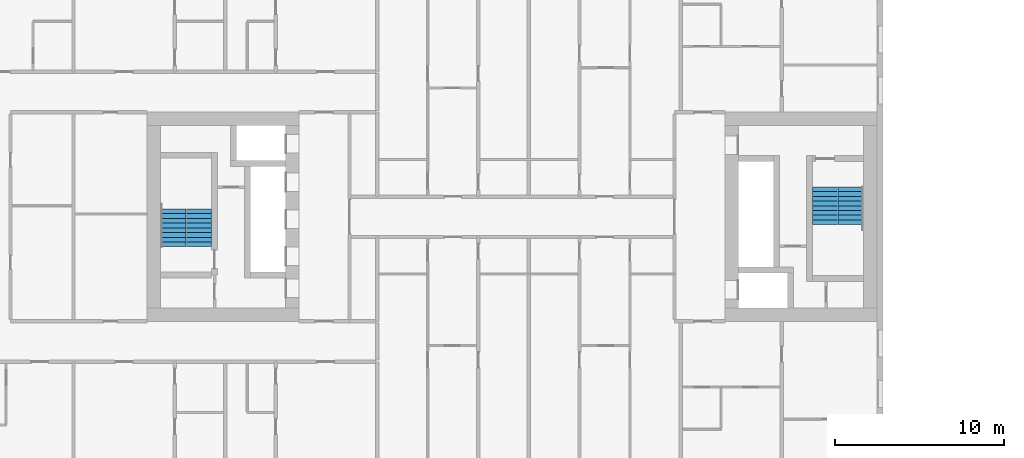
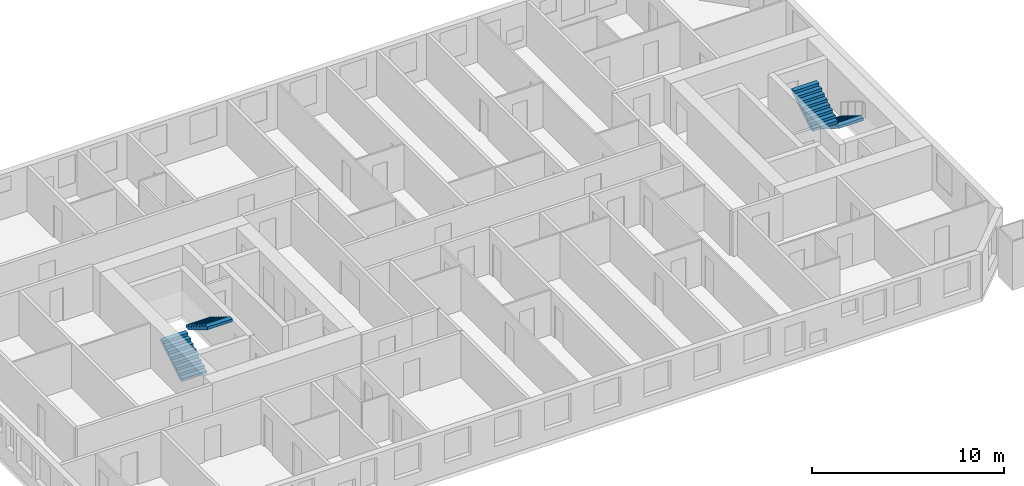
# One storey, part 16 of 17: 4 stair flights, 2 elements without a shape of their own.
"""IFC4 building model written with IfcOpenShell, lengths in metres."""

from ifc_helpers import new_model, si_unit, direction, frame, origin, place, context, subcontext, project, spatial, faceted_brep, material, type_object, element, aggregate, save


model = new_model("IFC4")

# Units and contexts
model_context = context("Model", 3, precision=1e-05, world=origin(), true_north=direction((0.0, 1.0)))
body_context = subcontext(model_context, "Body", "Model", "MODEL_VIEW")
ifc_project = project(units=[si_unit("LENGTHUNIT", "METRE"), si_unit("AREAUNIT", "SQUARE_METRE"), si_unit("VOLUMEUNIT", "CUBIC_METRE"), si_unit("PLANEANGLEUNIT", "RADIAN"), si_unit("MASSUNIT", "GRAM", prefix="KILO")], contexts=[model_context])

# Site, building, storey
site_placement = place(None, origin())
site = spatial("IfcSite", under=ifc_project, at=site_placement, CompositionType="ELEMENT")
building_placement = place(site_placement, origin())
building = spatial("IfcBuilding", under=site, at=building_placement, Name="Tuart Gate Housing", CompositionType="ELEMENT")
storey_placement = place(building_placement, frame((0.0, 0.0, 50.5)))
storey = spatial("IfcBuildingStorey", under=building, at=storey_placement, Name="L13", CompositionType="ELEMENT", Elevation=50.5)

# Stair, stair flights
ifc_material_1 = material(Name="Concrete C40", Category="concrete")
stair_type = type_object("IfcStairType", Name="Core stair 1500", PredefinedType="HALF_TURN_STAIR", material=ifc_material_1)
stair_1_placement = place(storey_placement, origin())
stair_1 = element("IfcStair", 1, at=stair_1_placement, inside=storey, type_object=stair_type, Name="Stair SA1", PredefinedType="HALF_TURN_STAIR")
ifc_material_2 = material(Name="Concrete C40", Category="concrete")
stair_flight_type = type_object("IfcStairFlightType", Name="Stair flight 1500, 9 risers 172 x 280", PredefinedType="STRAIGHT", material=ifc_material_2)
stair_flight_1_placement = place(storey_placement, frame((74.090087890625, 71.77490234375, 0.0), z_axis=(0.0, 0.0, 1.0), x_axis=(0.0, -1.0, 0.0)))
stair_flight_1 = element("IfcStairFlight", 2, at=stair_flight_1_placement, type_object=stair_flight_type, Name="SA1 flight 1", NumberOfRisers=9, NumberOfTreads=8, PredefinedType="STRAIGHT", RiserHeight=0.172222222, TreadLength=0.28, context=body_context, shape_type="Brep", body=[
    faceted_brep([(0.0, 0.75, 0.0), (0.0, 0.75, 0.172119140625), (0.280029296875, 0.75, 0.172119140625), (0.280029296875, 0.75, 0.344482421875), (0.56005859375, 0.75, 0.344482421875), (0.56005859375, 0.75, 0.5166015625), (0.840087890625, 0.75, 0.5166015625), (0.840087890625, 0.75, 0.68896484375), (1.1201171875, 0.75, 0.68896484375), (1.1201171875, 0.75, 0.861083984375), (1.39990234375, 0.75, 0.861083984375), (1.39990234375, 0.75, 1.033447265625), (1.679931640625, 0.75, 1.033447265625), (1.679931640625, 0.75, 1.20556640625), (1.9599609375, 0.75, 1.20556640625), (1.9599609375, 0.75, 1.377685546875), (2.239990234375, 0.75, 1.377685546875), (2.239990234375, 0.75, 1.201904296875), (0.2861328125, 0.75, 0.0), (0.2861328125, -0.75, 0.0), (2.239990234375, -0.75, 1.201904296875), (2.239990234375, -0.75, 1.377685546875), (1.9599609375, -0.75, 1.377685546875), (1.9599609375, -0.75, 1.20556640625), (1.679931640625, -0.75, 1.20556640625), (1.679931640625, -0.75, 1.033447265625), (1.39990234375, -0.75, 1.033447265625), (1.39990234375, -0.75, 0.861083984375), (1.1201171875, -0.75, 0.861083984375), (1.1201171875, -0.75, 0.68896484375), (0.840087890625, -0.75, 0.68896484375), (0.840087890625, -0.75, 0.5166015625), (0.56005859375, -0.75, 0.5166015625), (0.56005859375, -0.75, 0.344482421875), (0.280029296875, -0.75, 0.344482421875), (0.280029296875, -0.75, 0.172119140625), (0.0, -0.75, 0.172119140625), (0.0, -0.75, 0.0), (2.239990234375, 0.0, 1.201904296875), (0.2861328125, 0.0, 0.0), (2.239990234375, 0.0, 1.377685546875), (1.9599609375, 0.0, 1.377685546875), (1.9599609375, 0.0, 1.20556640625), (1.679931640625, 0.0, 1.20556640625), (1.679931640625, 0.0, 1.033447265625), (1.39990234375, 0.0, 1.033447265625), (1.39990234375, 0.0, 0.861083984375), (1.1201171875, 0.0, 0.861083984375), (1.1201171875, 0.0, 0.68896484375), (0.840087890625, 0.0, 0.68896484375), (0.840087890625, 0.0, 0.5166015625), (0.56005859375, 0.0, 0.5166015625), (0.56005859375, 0.0, 0.344482421875), (0.280029296875, 0.0, 0.344482421875), (0.280029296875, 0.0, 0.172119140625), (0.0, 0.0, 0.172119140625), (0.0, 0.0, 0.0)], [[[0, 1, 2, 3, 4, 5, 6, 7, 8, 9, 10, 11, 12, 13, 14, 15, 16, 17, 18]], [[19, 20, 21, 22, 23, 24, 25, 26, 27, 28, 29, 30, 31, 32, 33, 34, 35, 36, 37]], [[18, 17, 38, 39]], [[39, 38, 20, 19]], [[17, 16, 40, 38]], [[38, 40, 21, 20]], [[16, 15, 41, 40]], [[40, 41, 22, 21]], [[15, 14, 42, 41]], [[41, 42, 23, 22]], [[14, 13, 43, 42]], [[42, 43, 24, 23]], [[13, 12, 44, 43]], [[43, 44, 25, 24]], [[12, 11, 45, 44]], [[44, 45, 26, 25]], [[11, 10, 46, 45]], [[45, 46, 27, 26]], [[10, 9, 47, 46]], [[46, 47, 28, 27]], [[9, 8, 48, 47]], [[47, 48, 29, 28]], [[8, 7, 49, 48]], [[48, 49, 30, 29]], [[7, 6, 50, 49]], [[49, 50, 31, 30]], [[6, 5, 51, 50]], [[50, 51, 32, 31]], [[5, 4, 52, 51]], [[51, 52, 33, 32]], [[4, 3, 53, 52]], [[52, 53, 34, 33]], [[3, 2, 54, 53]], [[53, 54, 35, 34]], [[2, 1, 55, 54]], [[54, 55, 36, 35]], [[1, 0, 56, 55]], [[55, 56, 37, 36]], [[0, 18, 39, 56]], [[56, 39, 19, 37]]]),
])
stair_flight_2_placement = place(storey_placement, frame((72.56494140625, 69.534912109375, 1.550048828125), z_axis=(0.0, 0.0, 1.0), x_axis=(0.0, 1.0, 0.0)))
stair_flight_2 = element("IfcStairFlight", 3, at=stair_flight_2_placement, type_object=stair_flight_type, Name="SA1 flight 2", NumberOfRisers=9, NumberOfTreads=8, PredefinedType="STRAIGHT", RiserHeight=0.172222222, TreadLength=0.28, context=body_context, shape_type="Brep", body=[
    faceted_brep([(0.0, 0.75, 0.0), (0.0, 0.75, 0.172119140625), (0.280029296875, 0.75, 0.172119140625), (0.280029296875, 0.75, 0.344482421875), (0.56005859375, 0.75, 0.344482421875), (0.56005859375, 0.75, 0.5166015625), (0.840087890625, 0.75, 0.5166015625), (0.840087890625, 0.75, 0.68896484375), (1.1201171875, 0.75, 0.68896484375), (1.1201171875, 0.75, 0.861083984375), (1.39990234375, 0.75, 0.861083984375), (1.39990234375, 0.75, 1.033447265625), (1.679931640625, 0.75, 1.033447265625), (1.679931640625, 0.75, 1.20556640625), (1.9599609375, 0.75, 1.20556640625), (1.9599609375, 0.75, 1.377685546875), (2.239990234375, 0.75, 1.377685546875), (2.239990234375, 0.75, 1.201904296875), (0.2861328125, 0.75, 0.0), (0.2861328125, -0.75, 0.0), (2.239990234375, -0.75, 1.201904296875), (2.239990234375, -0.75, 1.377685546875), (1.9599609375, -0.75, 1.377685546875), (1.9599609375, -0.75, 1.20556640625), (1.679931640625, -0.75, 1.20556640625), (1.679931640625, -0.75, 1.033447265625), (1.39990234375, -0.75, 1.033447265625), (1.39990234375, -0.75, 0.861083984375), (1.1201171875, -0.75, 0.861083984375), (1.1201171875, -0.75, 0.68896484375), (0.840087890625, -0.75, 0.68896484375), (0.840087890625, -0.75, 0.5166015625), (0.56005859375, -0.75, 0.5166015625), (0.56005859375, -0.75, 0.344482421875), (0.280029296875, -0.75, 0.344482421875), (0.280029296875, -0.75, 0.172119140625), (0.0, -0.75, 0.172119140625), (0.0, -0.75, 0.0), (2.239990234375, 0.0, 1.201904296875), (0.2861328125, 0.0, 0.0), (2.239990234375, 0.0, 1.377685546875), (1.9599609375, 0.0, 1.377685546875), (1.9599609375, 0.0, 1.20556640625), (1.679931640625, 0.0, 1.20556640625), (1.679931640625, 0.0, 1.033447265625), (1.39990234375, 0.0, 1.033447265625), (1.39990234375, 0.0, 0.861083984375), (1.1201171875, 0.0, 0.861083984375), (1.1201171875, 0.0, 0.68896484375), (0.840087890625, 0.0, 0.68896484375), (0.840087890625, 0.0, 0.5166015625), (0.56005859375, 0.0, 0.5166015625), (0.56005859375, 0.0, 0.344482421875), (0.280029296875, 0.0, 0.344482421875), (0.280029296875, 0.0, 0.172119140625), (0.0, 0.0, 0.172119140625), (0.0, 0.0, 0.0)], [[[0, 1, 2, 3, 4, 5, 6, 7, 8, 9, 10, 11, 12, 13, 14, 15, 16, 17, 18]], [[19, 20, 21, 22, 23, 24, 25, 26, 27, 28, 29, 30, 31, 32, 33, 34, 35, 36, 37]], [[18, 17, 38, 39]], [[39, 38, 20, 19]], [[17, 16, 40, 38]], [[38, 40, 21, 20]], [[16, 15, 41, 40]], [[40, 41, 22, 21]], [[15, 14, 42, 41]], [[41, 42, 23, 22]], [[14, 13, 43, 42]], [[42, 43, 24, 23]], [[13, 12, 44, 43]], [[43, 44, 25, 24]], [[12, 11, 45, 44]], [[44, 45, 26, 25]], [[11, 10, 46, 45]], [[45, 46, 27, 26]], [[10, 9, 47, 46]], [[46, 47, 28, 27]], [[9, 8, 48, 47]], [[47, 48, 29, 28]], [[8, 7, 49, 48]], [[48, 49, 30, 29]], [[7, 6, 50, 49]], [[49, 50, 31, 30]], [[6, 5, 51, 50]], [[50, 51, 32, 31]], [[5, 4, 52, 51]], [[51, 52, 33, 32]], [[4, 3, 53, 52]], [[52, 53, 34, 33]], [[3, 2, 54, 53]], [[53, 54, 35, 34]], [[2, 1, 55, 54]], [[54, 55, 36, 35]], [[1, 0, 56, 55]], [[55, 56, 37, 36]], [[0, 18, 39, 56]], [[56, 39, 19, 37]]]),
])
aggregate(stair_1, [stair_flight_1, stair_flight_2])

stair_2_placement = place(storey_placement, origin())
stair_2 = element("IfcStair", 4, at=stair_2_placement, inside=storey, type_object=stair_type, Name="Stair SA2", PredefinedType="HALF_TURN_STAIR")
stair_flight_3_placement = place(storey_placement, frame((33.909912109375, 68.22509765625, 0.0), z_axis=(0.0, 0.0, 1.0), x_axis=(0.0, 1.0, 0.0)))
stair_flight_3 = element("IfcStairFlight", 5, at=stair_flight_3_placement, type_object=stair_flight_type, Name="SA2 flight 1", NumberOfRisers=9, NumberOfTreads=8, PredefinedType="STRAIGHT", RiserHeight=0.172222222, TreadLength=0.28, context=body_context, shape_type="Brep", body=[
    faceted_brep([(0.0, 0.75, 0.0), (0.0, 0.75, 0.172119140625), (0.280029296875, 0.75, 0.172119140625), (0.280029296875, 0.75, 0.344482421875), (0.56005859375, 0.75, 0.344482421875), (0.56005859375, 0.75, 0.5166015625), (0.840087890625, 0.75, 0.5166015625), (0.840087890625, 0.75, 0.68896484375), (1.1201171875, 0.75, 0.68896484375), (1.1201171875, 0.75, 0.861083984375), (1.39990234375, 0.75, 0.861083984375), (1.39990234375, 0.75, 1.033447265625), (1.679931640625, 0.75, 1.033447265625), (1.679931640625, 0.75, 1.20556640625), (1.9599609375, 0.75, 1.20556640625), (1.9599609375, 0.75, 1.377685546875), (2.239990234375, 0.75, 1.377685546875), (2.239990234375, 0.75, 1.201904296875), (0.2861328125, 0.75, 0.0), (0.2861328125, -0.75, 0.0), (2.239990234375, -0.75, 1.201904296875), (2.239990234375, -0.75, 1.377685546875), (1.9599609375, -0.75, 1.377685546875), (1.9599609375, -0.75, 1.20556640625), (1.679931640625, -0.75, 1.20556640625), (1.679931640625, -0.75, 1.033447265625), (1.39990234375, -0.75, 1.033447265625), (1.39990234375, -0.75, 0.861083984375), (1.1201171875, -0.75, 0.861083984375), (1.1201171875, -0.75, 0.68896484375), (0.840087890625, -0.75, 0.68896484375), (0.840087890625, -0.75, 0.5166015625), (0.56005859375, -0.75, 0.5166015625), (0.56005859375, -0.75, 0.344482421875), (0.280029296875, -0.75, 0.344482421875), (0.280029296875, -0.75, 0.172119140625), (0.0, -0.75, 0.172119140625), (0.0, -0.75, 0.0), (2.239990234375, 0.0, 1.201904296875), (0.2861328125, 0.0, 0.0), (2.239990234375, 0.0, 1.377685546875), (1.9599609375, 0.0, 1.377685546875), (1.9599609375, 0.0, 1.20556640625), (1.679931640625, 0.0, 1.20556640625), (1.679931640625, 0.0, 1.033447265625), (1.39990234375, 0.0, 1.033447265625), (1.39990234375, 0.0, 0.861083984375), (1.1201171875, 0.0, 0.861083984375), (1.1201171875, 0.0, 0.68896484375), (0.840087890625, 0.0, 0.68896484375), (0.840087890625, 0.0, 0.5166015625), (0.56005859375, 0.0, 0.5166015625), (0.56005859375, 0.0, 0.344482421875), (0.280029296875, 0.0, 0.344482421875), (0.280029296875, 0.0, 0.172119140625), (0.0, 0.0, 0.172119140625), (0.0, 0.0, 0.0)], [[[0, 1, 2, 3, 4, 5, 6, 7, 8, 9, 10, 11, 12, 13, 14, 15, 16, 17, 18]], [[19, 20, 21, 22, 23, 24, 25, 26, 27, 28, 29, 30, 31, 32, 33, 34, 35, 36, 37]], [[18, 17, 38, 39]], [[39, 38, 20, 19]], [[17, 16, 40, 38]], [[38, 40, 21, 20]], [[16, 15, 41, 40]], [[40, 41, 22, 21]], [[15, 14, 42, 41]], [[41, 42, 23, 22]], [[14, 13, 43, 42]], [[42, 43, 24, 23]], [[13, 12, 44, 43]], [[43, 44, 25, 24]], [[12, 11, 45, 44]], [[44, 45, 26, 25]], [[11, 10, 46, 45]], [[45, 46, 27, 26]], [[10, 9, 47, 46]], [[46, 47, 28, 27]], [[9, 8, 48, 47]], [[47, 48, 29, 28]], [[8, 7, 49, 48]], [[48, 49, 30, 29]], [[7, 6, 50, 49]], [[49, 50, 31, 30]], [[6, 5, 51, 50]], [[50, 51, 32, 31]], [[5, 4, 52, 51]], [[51, 52, 33, 32]], [[4, 3, 53, 52]], [[52, 53, 34, 33]], [[3, 2, 54, 53]], [[53, 54, 35, 34]], [[2, 1, 55, 54]], [[54, 55, 36, 35]], [[1, 0, 56, 55]], [[55, 56, 37, 36]], [[0, 18, 39, 56]], [[56, 39, 19, 37]]]),
])
stair_flight_4_placement = place(storey_placement, frame((35.43505859375, 70.465087890625, 1.550048828125), z_axis=(0.0, 0.0, 1.0), x_axis=(0.0, -1.0, 0.0)))
stair_flight_4 = element("IfcStairFlight", 6, at=stair_flight_4_placement, type_object=stair_flight_type, Name="SA2 flight 2", NumberOfRisers=9, NumberOfTreads=8, PredefinedType="STRAIGHT", RiserHeight=0.172222222, TreadLength=0.28, context=body_context, shape_type="Brep", body=[
    faceted_brep([(0.0, 0.75, 0.0), (0.0, 0.75, 0.172119140625), (0.280029296875, 0.75, 0.172119140625), (0.280029296875, 0.75, 0.344482421875), (0.56005859375, 0.75, 0.344482421875), (0.56005859375, 0.75, 0.5166015625), (0.840087890625, 0.75, 0.5166015625), (0.840087890625, 0.75, 0.68896484375), (1.1201171875, 0.75, 0.68896484375), (1.1201171875, 0.75, 0.861083984375), (1.39990234375, 0.75, 0.861083984375), (1.39990234375, 0.75, 1.033447265625), (1.679931640625, 0.75, 1.033447265625), (1.679931640625, 0.75, 1.20556640625), (1.9599609375, 0.75, 1.20556640625), (1.9599609375, 0.75, 1.377685546875), (2.239990234375, 0.75, 1.377685546875), (2.239990234375, 0.75, 1.201904296875), (0.2861328125, 0.75, 0.0), (0.2861328125, -0.75, 0.0), (2.239990234375, -0.75, 1.201904296875), (2.239990234375, -0.75, 1.377685546875), (1.9599609375, -0.75, 1.377685546875), (1.9599609375, -0.75, 1.20556640625), (1.679931640625, -0.75, 1.20556640625), (1.679931640625, -0.75, 1.033447265625), (1.39990234375, -0.75, 1.033447265625), (1.39990234375, -0.75, 0.861083984375), (1.1201171875, -0.75, 0.861083984375), (1.1201171875, -0.75, 0.68896484375), (0.840087890625, -0.75, 0.68896484375), (0.840087890625, -0.75, 0.5166015625), (0.56005859375, -0.75, 0.5166015625), (0.56005859375, -0.75, 0.344482421875), (0.280029296875, -0.75, 0.344482421875), (0.280029296875, -0.75, 0.172119140625), (0.0, -0.75, 0.172119140625), (0.0, -0.75, 0.0), (2.239990234375, 0.0, 1.201904296875), (0.2861328125, 0.0, 0.0), (2.239990234375, 0.0, 1.377685546875), (1.9599609375, 0.0, 1.377685546875), (1.9599609375, 0.0, 1.20556640625), (1.679931640625, 0.0, 1.20556640625), (1.679931640625, 0.0, 1.033447265625), (1.39990234375, 0.0, 1.033447265625), (1.39990234375, 0.0, 0.861083984375), (1.1201171875, 0.0, 0.861083984375), (1.1201171875, 0.0, 0.68896484375), (0.840087890625, 0.0, 0.68896484375), (0.840087890625, 0.0, 0.5166015625), (0.56005859375, 0.0, 0.5166015625), (0.56005859375, 0.0, 0.344482421875), (0.280029296875, 0.0, 0.344482421875), (0.280029296875, 0.0, 0.172119140625), (0.0, 0.0, 0.172119140625), (0.0, 0.0, 0.0)], [[[0, 1, 2, 3, 4, 5, 6, 7, 8, 9, 10, 11, 12, 13, 14, 15, 16, 17, 18]], [[19, 20, 21, 22, 23, 24, 25, 26, 27, 28, 29, 30, 31, 32, 33, 34, 35, 36, 37]], [[18, 17, 38, 39]], [[39, 38, 20, 19]], [[17, 16, 40, 38]], [[38, 40, 21, 20]], [[16, 15, 41, 40]], [[40, 41, 22, 21]], [[15, 14, 42, 41]], [[41, 42, 23, 22]], [[14, 13, 43, 42]], [[42, 43, 24, 23]], [[13, 12, 44, 43]], [[43, 44, 25, 24]], [[12, 11, 45, 44]], [[44, 45, 26, 25]], [[11, 10, 46, 45]], [[45, 46, 27, 26]], [[10, 9, 47, 46]], [[46, 47, 28, 27]], [[9, 8, 48, 47]], [[47, 48, 29, 28]], [[8, 7, 49, 48]], [[48, 49, 30, 29]], [[7, 6, 50, 49]], [[49, 50, 31, 30]], [[6, 5, 51, 50]], [[50, 51, 32, 31]], [[5, 4, 52, 51]], [[51, 52, 33, 32]], [[4, 3, 53, 52]], [[52, 53, 34, 33]], [[3, 2, 54, 53]], [[53, 54, 35, 34]], [[2, 1, 55, 54]], [[54, 55, 36, 35]], [[1, 0, 56, 55]], [[55, 56, 37, 36]], [[0, 18, 39, 56]], [[56, 39, 19, 37]]]),
])
aggregate(stair_2, [stair_flight_3, stair_flight_4])

save(model, "model.ifc")
